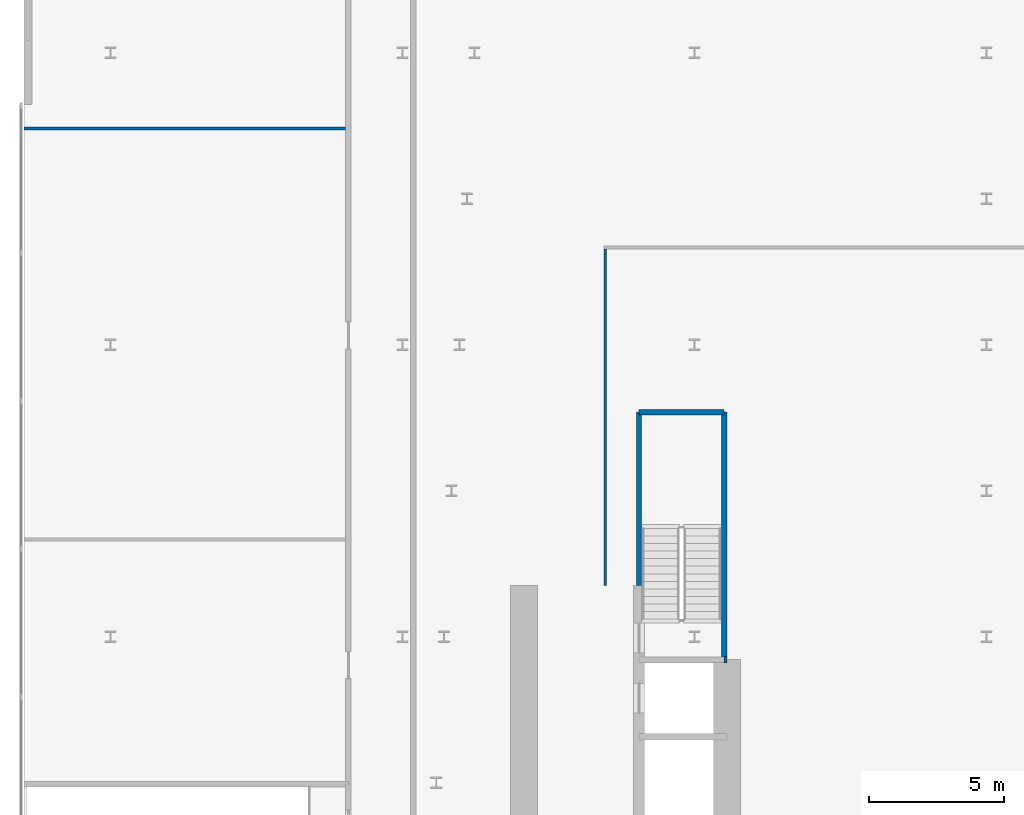
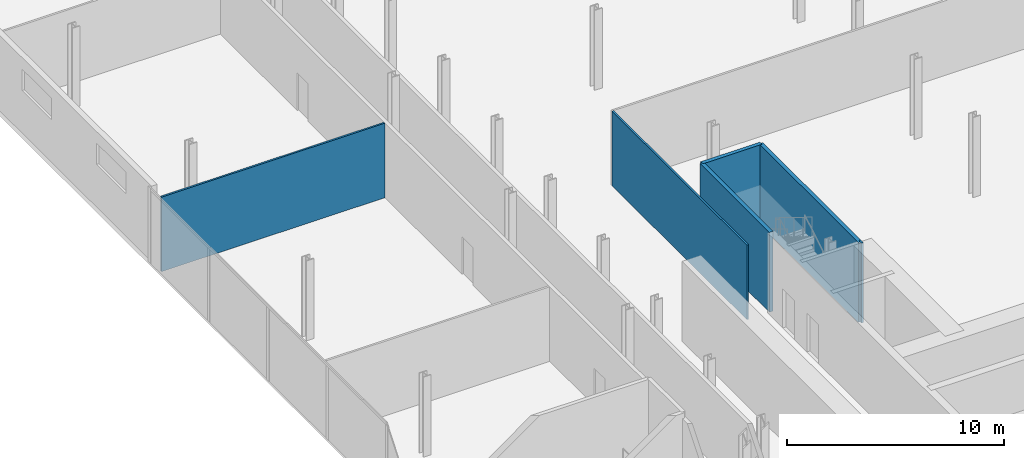
# One storey, part 30 of 43: 6 walls.
"""IFC4 building model written with IfcOpenShell, lengths in metres."""

from ifc_helpers import new_model, si_unit, direction, frame, frame_2d, origin, place, context, subcontext, project, spatial, rectangle, extrude, material, layer, layer_set, type_object, element, save


model = new_model("IFC4")

# Units and contexts
model_context = context("Model", 3, precision=1e-05, world=origin(), true_north=direction((0.0, 1.0)))
body_context = subcontext(model_context, "Body", "Model", "MODEL_VIEW")
ifc_project = project(units=[si_unit("LENGTHUNIT", "METRE"), si_unit("AREAUNIT", "SQUARE_METRE"), si_unit("VOLUMEUNIT", "CUBIC_METRE"), si_unit("PLANEANGLEUNIT", "RADIAN"), si_unit("MASSUNIT", "GRAM", prefix="KILO")], contexts=[model_context])

# Site, building, storey
site_placement = place(None, origin())
site = spatial("IfcSite", under=ifc_project, at=site_placement, CompositionType="ELEMENT")
building_placement = place(site_placement, origin())
building = spatial("IfcBuilding", under=site, at=building_placement, Name="Kheshtan School and Residences Tower", CompositionType="ELEMENT")
storey_placement = place(building_placement, frame((0.0, 0.0, 26.0)))
storey = spatial("IfcBuildingStorey", under=building, at=storey_placement, Name="L05", CompositionType="ELEMENT", Elevation=26.0)

# Walls
ifc_material_1 = material(Name="Gypsum board on steel studs", Category="steel")
ifc_layer_1 = layer(ifc_material_1, 0.10009765625)
ifc_layer_set_1 = layer_set([ifc_layer_1], Name="Gypsum partition 100")
wall_type_1 = type_object("IfcWallType", Name="Gypsum partition 100", PredefinedType="PARTITIONING", material=ifc_layer_set_1)
wall_1_placement = place(storey_placement, frame((12.0, 64.39990234375, 0.0), z_axis=(0.0, 0.0, 1.0), x_axis=(1.0, 0.0, 0.0)))
element("IfcWall", 1, at=wall_1_placement, inside=storey, type_object=wall_type_1, Name="Partition L05-005", PredefinedType="PARTITIONING", context=body_context, shape_type="SweptSolid", body=[
    extrude(rectangle(XDim=11.89990234375, YDim=0.10009765625, at=frame_2d((5.949951171875, 0.0))), origin(), (0.0, 0.0, 1.0), 4.199951171875),
])
wall_2_placement = place(storey_placement, frame((33.5, 47.5, 0.0), z_axis=(0.0, 0.0, 1.0), x_axis=(0.0, 1.0, 0.0)))
element("IfcWall", 2, at=wall_2_placement, inside=storey, type_object=wall_type_1, Name="Partition L05-016", PredefinedType="PARTITIONING", context=body_context, shape_type="SweptSolid", body=[
    extrude(rectangle(XDim=12.449951171875, YDim=0.10009765625, at=frame_2d((6.22509765625, 0.0))), origin(), (0.0, 0.0, 1.0), 4.199951171875),
])
ifc_material_2 = material(Name="Fire-board shaft wall system")
ifc_layer_2 = layer(ifc_material_2, 0.25)
ifc_layer_set_2 = layer_set([ifc_layer_2], Name="Shaft lining wall 250")
wall_type_2 = type_object("IfcWallType", Name="Shaft lining wall 250", PredefinedType="PARTITIONING", material=ifc_layer_set_2)
wall_3_placement = place(storey_placement, frame((37.89990234375, 44.75, 0.0), z_axis=(0.0, 0.0, 1.0), x_axis=(1.0, 0.0, 0.0)))
element("IfcWall", 3, at=wall_3_placement, inside=storey, type_object=wall_type_2, Name="Shaft lining wall", PredefinedType="PARTITIONING", context=body_context, shape_type="SweptSolid", body=[
    extrude(rectangle(XDim=0.10009765625, YDim=0.25, at=frame_2d((0.050048828125, 0.0))), origin(), (0.0, 0.0, 1.0), 4.5),
])
ifc_material_3 = material(Name="Concrete C40/50", Category="concrete")
ifc_layer_3 = layer(ifc_material_3, 0.199951171875)
ifc_layer_set_3 = layer_set([ifc_layer_3], Name="Stair enclosure wall 200 Concrete C40/50")
wall_type_3 = type_object("IfcWallType", Name="Stair enclosure wall 200 Concrete C40/50", PredefinedType="SHEAR", material=ifc_layer_set_3)
wall_4_placement = place(storey_placement, frame((34.75, 53.909912109375, 0.0), z_axis=(0.0, 0.0, 1.0), x_axis=(1.0, 0.0, 0.0)))
element("IfcWall", 4, at=wall_4_placement, inside=storey, type_object=wall_type_3, Name="Stair enclosure wall ST2", PredefinedType="SHEAR", context=body_context, shape_type="SweptSolid", body=[
    extrude(rectangle(XDim=3.14990234375, YDim=0.199951171875, at=frame_2d((1.574951171875, 0.0))), origin(), (0.0, 0.0, 1.0), 4.5),
])
wall_5_placement = place(storey_placement, frame((34.75, 47.5, 0.0), z_axis=(0.0, 0.0, 1.0), x_axis=(0.0, 1.0, 0.0)))
element("IfcWall", 5, at=wall_5_placement, inside=storey, type_object=wall_type_3, Name="Stair enclosure wall ST2", PredefinedType="SHEAR", context=body_context, shape_type="SweptSolid", body=[
    extrude(rectangle(XDim=6.409912109375, YDim=0.199951171875, at=frame_2d((3.205078125, 0.0))), origin(), (0.0, 0.0, 1.0), 4.5),
])
wall_6_placement = place(storey_placement, frame((37.89990234375, 44.75, 0.0), z_axis=(0.0, 0.0, 1.0), x_axis=(0.0, 1.0, 0.0)))
element("IfcWall", 6, at=wall_6_placement, inside=storey, type_object=wall_type_3, Name="Stair enclosure wall ST2", PredefinedType="SHEAR", context=body_context, shape_type="SweptSolid", body=[
    extrude(rectangle(XDim=9.159912109375, YDim=0.199951171875, at=frame_2d((4.580078125, 0.0))), origin(), (0.0, 0.0, 1.0), 4.5),
])

save(model, "model.ifc")
